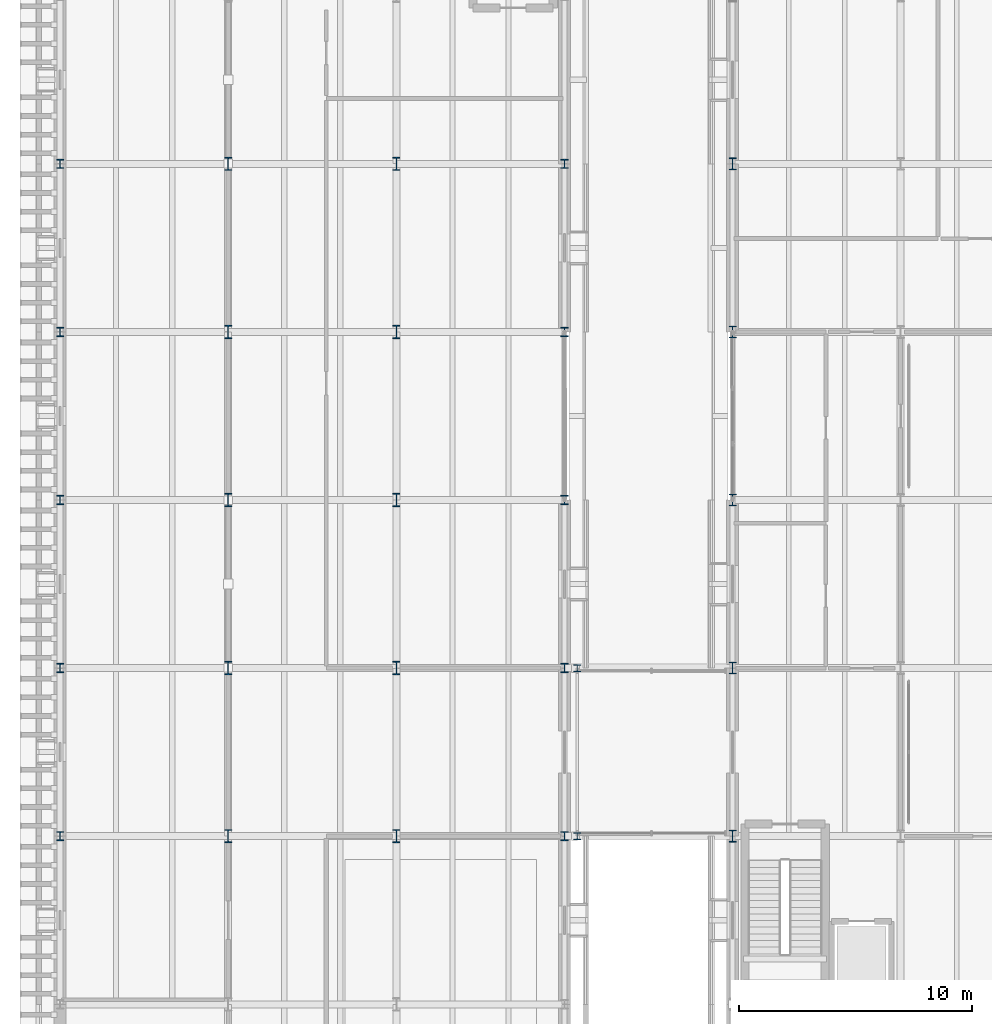
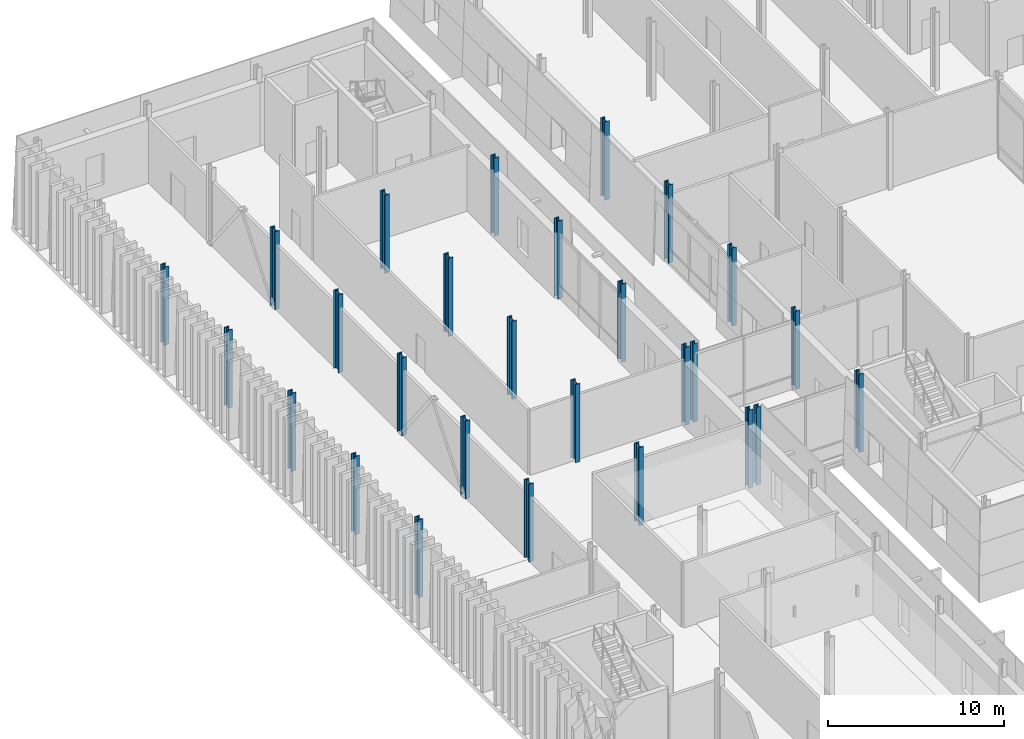
# One storey, part 8 of 120: 27 columns.
"""IFC4 building model written with IfcOpenShell, lengths in metres."""

import ifcopenshell
import ifcopenshell.guid

model = None  # the IFC model being written
_history = None  # IfcOwnerHistory: only IFC2X3 demands one
_inside = {}  # id of a spatial element -> (the spatial element, [elements in it])
_under = {}  # id of a project, library or spatial element -> (it, [spatial elements below it])
_declared = {}  # id of a project -> (the project, [libraries it declares])
_typed = {}  # id of a type object -> (the type object, [elements of that type])
_made_of = {}  # id of a material, layer set ... -> (it, [elements and type objects made of it])


def new_model(schema):
    """Start an empty IFC model of exactly this schema.

    Asked for "IFC4X3", IfcOpenShell would pick the latest addendum, in which some entities
    have other attributes; the version numbers below select the first issue.
    IFC2X3 requires an IfcOwnerHistory on every rooted entity: one is made here for all.
    """
    global model, _history
    if schema == "IFC4X3":
        model = ifcopenshell.file(schema_version=(4, 3, 0, 0))
    else:
        model = ifcopenshell.file(schema=schema)
    _inside.clear()
    _under.clear()
    _declared.clear()
    _typed.clear()
    _made_of.clear()
    _history = None
    if model.schema == "IFC2X3":
        org = make("IfcOrganization", Name="unknown")
        user = make(
            "IfcPersonAndOrganization",
            ThePerson=make("IfcPerson", FamilyName="unknown"),
            TheOrganization=org,
        )
        app = make(
            "IfcApplication",
            ApplicationDeveloper=org,
            Version="unknown",
            ApplicationFullName="unknown",
            ApplicationIdentifier="unknown",
        )
        _history = make(
            "IfcOwnerHistory",
            OwningUser=user,
            OwningApplication=app,
            ChangeAction="ADDED",
            CreationDate=0,
        )
    return model


def make(cls, **values):
    """One entity of the class cls with the attributes given. An attribute that is None is left unset."""
    return model.create_entity(
        cls, **{name: value for name, value in values.items() if value is not None}
    )


def rooted(cls, **values):
    """An entity with a GlobalId (a new one), such as an element, a storey or a relation."""
    return make(cls, GlobalId=ifcopenshell.guid.new(), OwnerHistory=_history, **values)


def si_unit(unit_type, name, prefix=None):
    """IfcSIUnit, for example si_unit("LENGTHUNIT", "METRE", prefix="MILLI")."""
    return make("IfcSIUnit", UnitType=unit_type, Prefix=prefix, Name=name)


def assignment(units):
    """IfcUnitAssignment: the units of a project."""
    return None if units is None else make("IfcUnitAssignment", Units=units)


def point(xyz):
    """IfcCartesianPoint."""
    return None if xyz is None else make("IfcCartesianPoint", Coordinates=xyz)


def direction(xyz):
    """IfcDirection."""
    return None if xyz is None else make("IfcDirection", DirectionRatios=xyz)


def frame(location, z_axis=None, x_axis=None):
    """IfcAxis2Placement3D, a coordinate frame: its origin and axes. An axis left out is left unset."""
    return make(
        "IfcAxis2Placement3D",
        Location=point(location),
        Axis=direction(z_axis),
        RefDirection=direction(x_axis),
    )


def frame_2d(location, x_axis=None):
    """IfcAxis2Placement2D, a coordinate frame in the plane: its origin and x axis."""
    return make(
        "IfcAxis2Placement2D", Location=point(location), RefDirection=direction(x_axis)
    )


def origin():
    """The frame at (0, 0, 0) with its axes left unset."""
    return frame((0.0, 0.0, 0.0))


def origin_2d():
    """The frame at (0, 0) in the plane with its x axis left unset."""
    return frame_2d((0.0, 0.0))


def place(relative_to, where):
    """IfcLocalPlacement: puts the frame where relative to a parent placement (None: the world)."""
    return make(
        "IfcLocalPlacement", PlacementRelTo=relative_to, RelativePlacement=where
    )


def context(
    kind, dimensions, precision=None, world=None, true_north=None, identifier=None
):
    """IfcGeometricRepresentationContext, for example the 3D "Model" context."""
    return make(
        "IfcGeometricRepresentationContext",
        ContextIdentifier=identifier,
        ContextType=kind,
        CoordinateSpaceDimension=dimensions,
        Precision=precision,
        WorldCoordinateSystem=world,
        TrueNorth=true_north,
    )


def subcontext(parent, identifier, kind, view, scale=None):
    """IfcGeometricRepresentationSubContext, for example "Body" below "Model"."""
    return make(
        "IfcGeometricRepresentationSubContext",
        ContextIdentifier=identifier,
        ContextType=kind,
        ParentContext=parent,
        TargetScale=scale,
        TargetView=view,
    )


def project(units=None, contexts=None):
    """IfcProject with its units and contexts."""
    return rooted(
        "IfcProject",
        Name="project",
        RepresentationContexts=contexts,
        UnitsInContext=assignment(units),
    )


def spatial(cls, under=None, at=None, **own):
    """A site, building, storey or space (cls), placed at a placement, below another one or the project."""
    s = rooted(cls, ObjectPlacement=at, **own)
    if under is not None:
        _under.setdefault(under.id(), (under, []))[1].append(s)
    return s


def profile(cls, at=None, kind="AREA", **sizes):
    """A parametric profile (cls). Its sizes go by their IFC names, for example OverallWidth=200.0."""
    return make(cls, ProfileType=kind, Position=at, **sizes)


def i_section(**sizes):
    """IfcIShapeProfileDef."""
    return profile("IfcIShapeProfileDef", **sizes)


def extrude(swept, where, along, depth):
    """IfcExtrudedAreaSolid: the profile swept, set in the frame where, extruded along a direction by depth."""
    return make(
        "IfcExtrudedAreaSolid",
        SweptArea=swept,
        Position=where,
        ExtrudedDirection=direction(along),
        Depth=depth,
    )


def shape(context_of_items, identifier, shape_type, items):
    """IfcShapeRepresentation: the items that make up one representation, for example the "Body"."""
    return make(
        "IfcShapeRepresentation",
        ContextOfItems=context_of_items,
        RepresentationIdentifier=identifier,
        RepresentationType=shape_type,
        Items=items,
    )


def material(Name=None, Category=None):
    """IfcMaterial."""
    return make("IfcMaterial", Name=Name, Category=Category)


def material_profile(
    of_material, cross_section, Name=None, Category=None, Priority=None
):
    """IfcMaterialProfile: a cross section and its material."""
    return make(
        "IfcMaterialProfile",
        Name=Name,
        Material=of_material,
        Profile=cross_section,
        Priority=Priority,
        Category=Category,
    )


def profile_set(profiles, Name=None, composite=None):
    """IfcMaterialProfileSet."""
    return make(
        "IfcMaterialProfileSet",
        Name=Name,
        MaterialProfiles=profiles,
        CompositeProfile=composite,
    )


def made_of(thing, what):
    """Note that an element or type object is made of a material, layer set ...; save() writes the relation."""
    if what is not None:
        _made_of.setdefault(what.id(), (what, []))[1].append(thing)
    return thing


def type_object(cls, material=None, **own):
    """A type object (cls), such as IfcWallType, which elements share."""
    return made_of(rooted(cls, **own), material)


def element(
    cls,
    number,
    at=None,
    inside=None,
    cuts=None,
    type_object=None,
    material=None,
    context=None,
    identifier="Body",
    shape_type=None,
    held_by="IfcProductDefinitionShape",
    body=None,
    shapes=None,
    **own,
):
    """One element of the class cls, such as IfcWall. Its Tag is "e" and its number.

    at: its placement. inside: the storey or other place that contains it. cuts: it is an
    opening in that element (IfcRelVoidsElement). A single representation is given by context,
    identifier, shape_type and body (its items); several are given by shapes. held_by: the class
    of the entity that holds the representations. save() writes the other relations.
    """
    e = rooted(cls, Tag="e%d" % number, ObjectPlacement=at, **own)
    if body is not None:
        shapes = [shape(context, identifier, shape_type, body)]
    if shapes is not None:
        e.Representation = make(held_by, Representations=shapes)
    if inside is not None:
        _inside.setdefault(inside.id(), (inside, []))[1].append(e)
    if cuts is not None:
        rooted(
            "IfcRelVoidsElement", RelatingBuildingElement=cuts, RelatedOpeningElement=e
        )
    if type_object is not None:
        _typed.setdefault(type_object.id(), (type_object, []))[1].append(e)
    return made_of(e, material)


def aggregate(whole, parts):
    """IfcRelAggregates: a whole, such as a stair, and the parts it consists of."""
    return rooted("IfcRelAggregates", RelatingObject=whole, RelatedObjects=parts)


def save(model, path):
    """Write the relations noted so far, then the file.

    IfcRelAggregates (storeys below a building ...), IfcRelContainedInSpatialStructure (elements
    in a storey), IfcRelDefinesByType, IfcRelAssociatesMaterial and IfcRelDeclares: one each for
    every whole, place, type object, material and project.
    """
    for whole, parts in _under.values():
        aggregate(whole, parts)
    for where, things in _inside.values():
        rooted(
            "IfcRelContainedInSpatialStructure",
            RelatedElements=things,
            RelatingStructure=where,
        )
    for kind, things in _typed.values():
        rooted("IfcRelDefinesByType", RelatedObjects=things, RelatingType=kind)
    for what, things in _made_of.values():
        rooted("IfcRelAssociatesMaterial", RelatedObjects=things, RelatingMaterial=what)
    for by, libraries in _declared.values():
        rooted("IfcRelDeclares", RelatingContext=by, RelatedDefinitions=libraries)
    model.write(path)


model = new_model("IFC4")

# Units and contexts
model_context = context("Model", 3, precision=1e-05, world=origin(), true_north=direction((0.0, 1.0)))
body_context = subcontext(model_context, "Body", "Model", "MODEL_VIEW")
ifc_project = project(units=[si_unit("LENGTHUNIT", "METRE"), si_unit("AREAUNIT", "SQUARE_METRE"), si_unit("VOLUMEUNIT", "CUBIC_METRE"), si_unit("PLANEANGLEUNIT", "RADIAN"), si_unit("MASSUNIT", "GRAM", prefix="KILO")], contexts=[model_context])

# Site, building, storey
site_placement = place(None, origin())
site = spatial("IfcSite", under=ifc_project, at=site_placement, CompositionType="ELEMENT")
building_placement = place(site_placement, origin())
building = spatial("IfcBuilding", under=site, at=building_placement, Name="Narikvali Park Central Library", CompositionType="ELEMENT")
storey_placement = place(building_placement, origin())
storey = spatial("IfcBuildingStorey", under=building, at=storey_placement, Name="L00", CompositionType="ELEMENT", Elevation=0.0)

# Columns
ifc_material = material(Name="Steel S355", Category="steel")
ifc_material_profile_1 = material_profile(ifc_material, i_section(OverallWidth=0.305908203125, OverallDepth=0.572021484375, WebThickness=0.02099609375, FlangeThickness=0.0400390625, FilletRadius=0.027099609375, at=origin_2d()), Name="HEM 550")
ifc_profile_set_1 = profile_set([ifc_material_profile_1], Name="Steel S355")
column_type_1 = type_object("IfcColumnType", Name="Heavy Stack Column HEM550", PredefinedType="COLUMN", material=ifc_profile_set_1)
for number, where, z_axis, x_axis, name in (
    (1, (7.199951171875, 64.800048828125, 0.0), (0.0, 0.0, 1.0), (1.0, 0.0, 0.0), "V5 L00 Column (7.2,64.8)"),
    (2, (7.199951171875, 72.0, 0.0), (0.0, 0.0, 1.0), (1.0, 0.0, 0.0), "V5 L00 Column (7.2,72.0)"),
    (3, (7.199951171875, 79.199951171875, 0.0), (0.0, 0.0, 1.0), (1.0, 0.0, 0.0), "V5 L00 Column (7.2,79.2)"),
    (4, (7.199951171875, 86.39990234375, 0.0), (0.0, 0.0, 1.0), (1.0, 0.0, 0.0), "V5 L00 Column (7.2,86.4)"),
    (5, (7.199951171875, 93.60009765625, 0.0), (0.0, 0.0, 1.0), (1.0, 0.0, 0.0), "V5 L00 Column (7.2,93.6)"),
    (6, (14.39990234375, 64.800048828125, 0.0), (0.0, 0.0, 1.0), (1.0, 0.0, 0.0), "V5 L00 Column (14.4,64.8)"),
    (7, (14.39990234375, 72.0, 0.0), (0.0, 0.0, 1.0), (1.0, 0.0, 0.0), "V5 L00 Column (14.4,72.0)"),
    (8, (14.39990234375, 79.199951171875, 0.0), (0.0, 0.0, 1.0), (1.0, 0.0, 0.0), "V5 L00 Column (14.4,79.2)"),
    (9, (14.39990234375, 86.39990234375, 0.0), (0.0, 0.0, 1.0), (1.0, 0.0, 0.0), "V5 L00 Column (14.4,86.4)"),
    (10, (14.39990234375, 93.60009765625, 0.0), (0.0, 0.0, 1.0), (1.0, 0.0, 0.0), "V5 L00 Column (14.4,93.6)"),
):
    element("IfcColumn", number, at=place(storey_placement, frame(where, z_axis=z_axis, x_axis=x_axis)), inside=storey, type_object=column_type_1, Name=name, PredefinedType="COLUMN", context=body_context, shape_type="SweptSolid", body=[
        extrude(i_section(OverallWidth=0.305908203125, OverallDepth=0.572021484375, WebThickness=0.02099609375, FlangeThickness=0.0400390625, FilletRadius=0.027099609375, at=origin_2d()), origin(), (0.0, 0.0, 1.0), 5.39990234375),
    ])
ifc_material_profile_2 = material_profile(ifc_material, i_section(OverallWidth=0.300048828125, OverallDepth=0.300048828125, WebThickness=0.010986328125, FlangeThickness=0.01904296875, FilletRadius=0.027099609375, at=origin_2d()), Name="HEB 300")
ifc_profile_set_2 = profile_set([ifc_material_profile_2], Name="Steel S355")
column_type_2 = type_object("IfcColumnType", Name="Steel Column HEB300", PredefinedType="COLUMN", material=ifc_profile_set_2)
for number, where, z_axis, x_axis, name in (
    (11, (22.14990234375, 64.800048828125, 0.0), (0.0, 0.0, 1.0), (1.0, 0.0, 0.0), "BRG-1 Bridge Pier L00"),
    (12, (22.14990234375, 72.0, 0.0), (0.0, 0.0, 1.0), (1.0, 0.0, 0.0), "BRG-1 Bridge Pier L00"),
):
    element("IfcColumn", number, at=place(storey_placement, frame(where, z_axis=z_axis, x_axis=x_axis)), inside=storey, type_object=column_type_2, Name=name, PredefinedType="COLUMN", context=body_context, shape_type="SweptSolid", body=[
        extrude(i_section(OverallWidth=0.300048828125, OverallDepth=0.300048828125, WebThickness=0.010986328125, FlangeThickness=0.01904296875, FilletRadius=0.027099609375, at=origin_2d()), origin(), (0.0, 0.0, 1.0), 5.39990234375),
    ])
ifc_material_profile_3 = material_profile(ifc_material, i_section(OverallWidth=0.300048828125, OverallDepth=0.5, WebThickness=0.014404296875, FlangeThickness=0.028076171875, FilletRadius=0.027099609375, at=origin_2d()), Name="HEB 500")
ifc_profile_set_3 = profile_set([ifc_material_profile_3], Name="Steel S355")
column_type_3 = type_object("IfcColumnType", Name="Steel Column HEB500", PredefinedType="COLUMN", material=ifc_profile_set_3)
for number, where, z_axis, x_axis, name in (
    (13, (28.800048828125, 64.800048828125, 0.0), (0.0, 0.0, 1.0), (1.0, 0.0, 0.0), "V4 L00 Column (28.8,64.8)"),
    (14, (28.800048828125, 72.0, 0.0), (0.0, 0.0, 1.0), (1.0, 0.0, 0.0), "V4 L00 Column (28.8,72.0)"),
    (15, (28.800048828125, 79.199951171875, 0.0), (0.0, 0.0, 1.0), (1.0, 0.0, 0.0), "V4 L00 Column (28.8,79.2)"),
    (16, (28.800048828125, 86.39990234375, 0.0), (0.0, 0.0, 1.0), (1.0, 0.0, 0.0), "V4 L00 Column (28.8,86.4)"),
    (17, (28.800048828125, 93.60009765625, 0.0), (0.0, 0.0, 1.0), (1.0, 0.0, 0.0), "V4 L00 Column (28.8,93.6)"),
):
    element("IfcColumn", number, at=place(storey_placement, frame(where, z_axis=z_axis, x_axis=x_axis)), inside=storey, type_object=column_type_3, Name=name, PredefinedType="COLUMN", context=body_context, shape_type="SweptSolid", body=[
        extrude(i_section(OverallWidth=0.300048828125, OverallDepth=0.5, WebThickness=0.014404296875, FlangeThickness=0.028076171875, FilletRadius=0.027099609375, at=origin_2d()), origin(), (0.0, 0.0, 1.0), 5.39990234375),
    ])
ifc_material_profile_4 = material_profile(ifc_material, i_section(OverallWidth=0.30810546875, OverallDepth=0.39501953125, WebThickness=0.02099609375, FlangeThickness=0.035888671875, FilletRadius=0.027099609375, at=origin_2d()), Name="HEM 360")
ifc_profile_set_4 = profile_set([ifc_material_profile_4], Name="Steel S355")
column_type_4 = type_object("IfcColumnType", Name="Steel Column HEM360", PredefinedType="COLUMN", material=ifc_profile_set_4)
for number, where, z_axis, x_axis, name in (
    (18, (0.0, 64.800048828125, 0.0), (0.0, 0.0, 1.0), (1.0, 0.0, 0.0), "V5 L00 Column (0.0,64.8)"),
    (19, (0.0, 72.0, 0.0), (0.0, 0.0, 1.0), (1.0, 0.0, 0.0), "V5 L00 Column (0.0,72.0)"),
    (20, (0.0, 79.199951171875, 0.0), (0.0, 0.0, 1.0), (1.0, 0.0, 0.0), "V5 L00 Column (0.0,79.2)"),
    (21, (0.0, 86.39990234375, 0.0), (0.0, 0.0, 1.0), (1.0, 0.0, 0.0), "V5 L00 Column (0.0,86.4)"),
    (22, (0.0, 93.60009765625, 0.0), (0.0, 0.0, 1.0), (1.0, 0.0, 0.0), "V5 L00 Column (0.0,93.6)"),
    (23, (21.60009765625, 64.800048828125, 0.0), (0.0, 0.0, 1.0), (1.0, 0.0, 0.0), "V5 L00 Column (21.6,64.8)"),
    (24, (21.60009765625, 72.0, 0.0), (0.0, 0.0, 1.0), (1.0, 0.0, 0.0), "V5 L00 Column (21.6,72.0)"),
    (25, (21.60009765625, 79.199951171875, 0.0), (0.0, 0.0, 1.0), (1.0, 0.0, 0.0), "V5 L00 Column (21.6,79.2)"),
    (26, (21.60009765625, 86.39990234375, 0.0), (0.0, 0.0, 1.0), (1.0, 0.0, 0.0), "V5 L00 Column (21.6,86.4)"),
    (27, (21.60009765625, 93.60009765625, 0.0), (0.0, 0.0, 1.0), (1.0, 0.0, 0.0), "V5 L00 Column (21.6,93.6)"),
):
    element("IfcColumn", number, at=place(storey_placement, frame(where, z_axis=z_axis, x_axis=x_axis)), inside=storey, type_object=column_type_4, Name=name, PredefinedType="COLUMN", context=body_context, shape_type="SweptSolid", body=[
        extrude(i_section(OverallWidth=0.30810546875, OverallDepth=0.39501953125, WebThickness=0.02099609375, FlangeThickness=0.035888671875, FilletRadius=0.027099609375, at=origin_2d()), origin(), (0.0, 0.0, 1.0), 5.39990234375),
    ])

save(model, "model.ifc")
